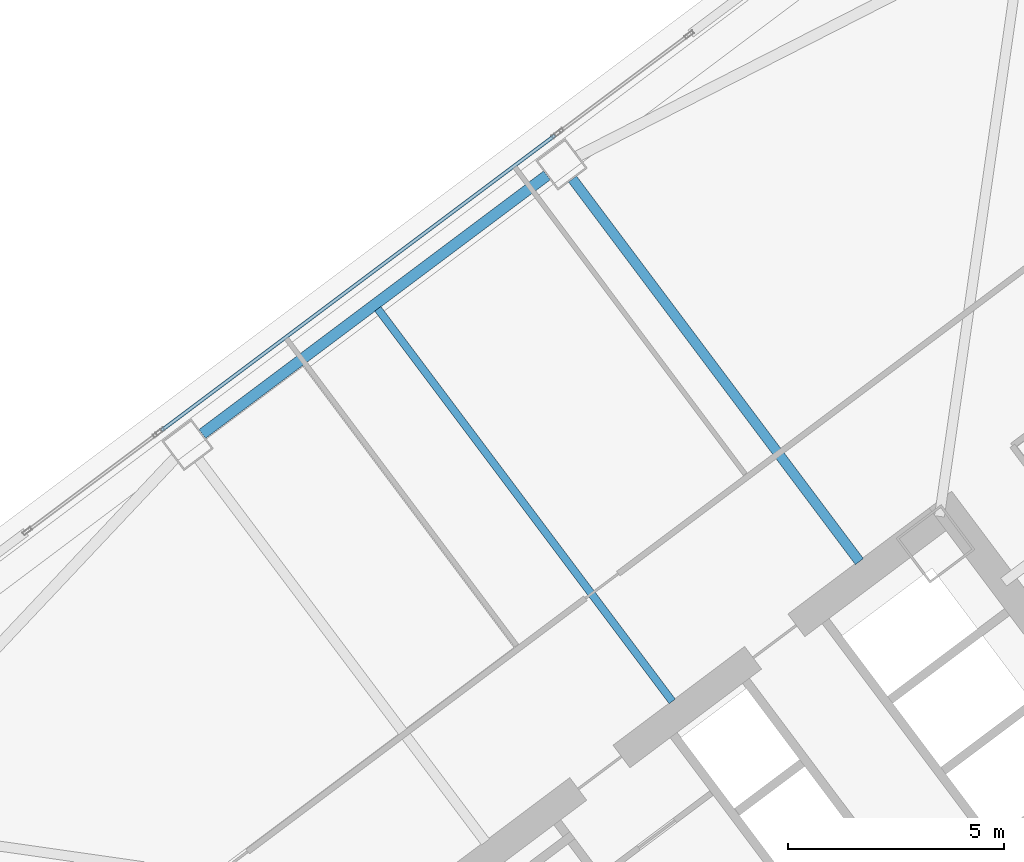
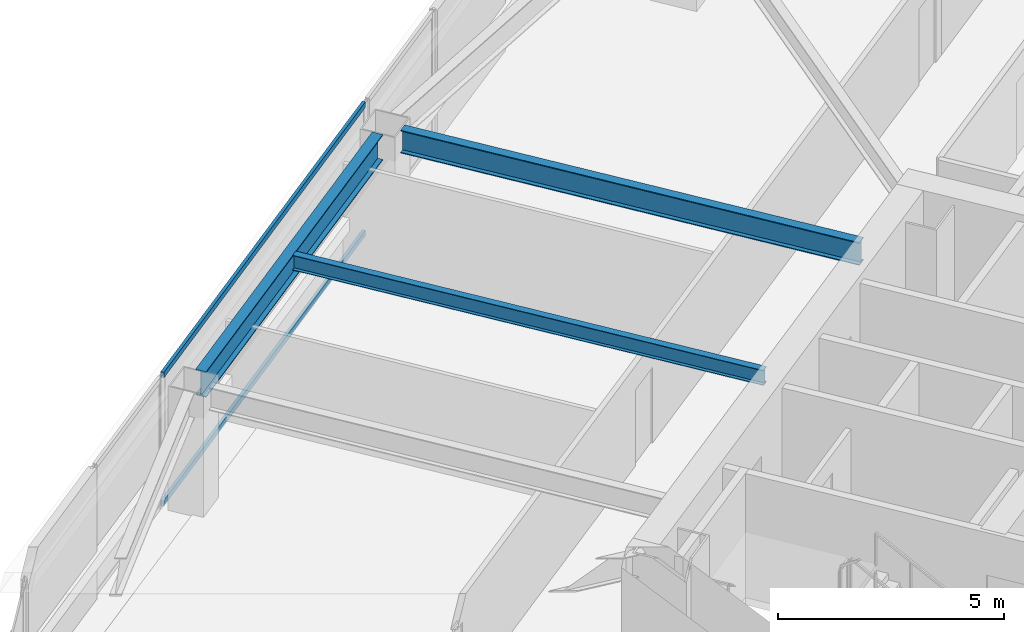
# One storey, part 31 of 48: 3 beams, 2 members, 1 element without a shape of its own.
"""IFC4 building model written with IfcOpenShell, lengths in metres."""

import ifcopenshell
import ifcopenshell.guid

model = None  # the IFC model being written
_history = None  # IfcOwnerHistory: only IFC2X3 demands one
_inside = {}  # id of a spatial element -> (the spatial element, [elements in it])
_under = {}  # id of a project, library or spatial element -> (it, [spatial elements below it])
_declared = {}  # id of a project -> (the project, [libraries it declares])
_typed = {}  # id of a type object -> (the type object, [elements of that type])
_made_of = {}  # id of a material, layer set ... -> (it, [elements and type objects made of it])


def new_model(schema):
    """Start an empty IFC model of exactly this schema.

    Asked for "IFC4X3", IfcOpenShell would pick the latest addendum, in which some entities
    have other attributes; the version numbers below select the first issue.
    IFC2X3 requires an IfcOwnerHistory on every rooted entity: one is made here for all.
    """
    global model, _history
    if schema == "IFC4X3":
        model = ifcopenshell.file(schema_version=(4, 3, 0, 0))
    else:
        model = ifcopenshell.file(schema=schema)
    _inside.clear()
    _under.clear()
    _declared.clear()
    _typed.clear()
    _made_of.clear()
    _history = None
    if model.schema == "IFC2X3":
        org = make("IfcOrganization", Name="unknown")
        user = make(
            "IfcPersonAndOrganization",
            ThePerson=make("IfcPerson", FamilyName="unknown"),
            TheOrganization=org,
        )
        app = make(
            "IfcApplication",
            ApplicationDeveloper=org,
            Version="unknown",
            ApplicationFullName="unknown",
            ApplicationIdentifier="unknown",
        )
        _history = make(
            "IfcOwnerHistory",
            OwningUser=user,
            OwningApplication=app,
            ChangeAction="ADDED",
            CreationDate=0,
        )
    return model


def make(cls, **values):
    """One entity of the class cls with the attributes given. An attribute that is None is left unset."""
    return model.create_entity(
        cls, **{name: value for name, value in values.items() if value is not None}
    )


def rooted(cls, **values):
    """An entity with a GlobalId (a new one), such as an element, a storey or a relation."""
    return make(cls, GlobalId=ifcopenshell.guid.new(), OwnerHistory=_history, **values)


def si_unit(unit_type, name, prefix=None):
    """IfcSIUnit, for example si_unit("LENGTHUNIT", "METRE", prefix="MILLI")."""
    return make("IfcSIUnit", UnitType=unit_type, Prefix=prefix, Name=name)


def assignment(units):
    """IfcUnitAssignment: the units of a project."""
    return None if units is None else make("IfcUnitAssignment", Units=units)


def point(xyz):
    """IfcCartesianPoint."""
    return None if xyz is None else make("IfcCartesianPoint", Coordinates=xyz)


def direction(xyz):
    """IfcDirection."""
    return None if xyz is None else make("IfcDirection", DirectionRatios=xyz)


def frame(location, z_axis=None, x_axis=None):
    """IfcAxis2Placement3D, a coordinate frame: its origin and axes. An axis left out is left unset."""
    return make(
        "IfcAxis2Placement3D",
        Location=point(location),
        Axis=direction(z_axis),
        RefDirection=direction(x_axis),
    )


def frame_2d(location, x_axis=None):
    """IfcAxis2Placement2D, a coordinate frame in the plane: its origin and x axis."""
    return make(
        "IfcAxis2Placement2D", Location=point(location), RefDirection=direction(x_axis)
    )


def origin():
    """The frame at (0, 0, 0) with its axes left unset."""
    return frame((0.0, 0.0, 0.0))


def origin_2d():
    """The frame at (0, 0) in the plane with its x axis left unset."""
    return frame_2d((0.0, 0.0))


def place(relative_to, where):
    """IfcLocalPlacement: puts the frame where relative to a parent placement (None: the world)."""
    return make(
        "IfcLocalPlacement", PlacementRelTo=relative_to, RelativePlacement=where
    )


def context(
    kind, dimensions, precision=None, world=None, true_north=None, identifier=None
):
    """IfcGeometricRepresentationContext, for example the 3D "Model" context."""
    return make(
        "IfcGeometricRepresentationContext",
        ContextIdentifier=identifier,
        ContextType=kind,
        CoordinateSpaceDimension=dimensions,
        Precision=precision,
        WorldCoordinateSystem=world,
        TrueNorth=true_north,
    )


def subcontext(parent, identifier, kind, view, scale=None):
    """IfcGeometricRepresentationSubContext, for example "Body" below "Model"."""
    return make(
        "IfcGeometricRepresentationSubContext",
        ContextIdentifier=identifier,
        ContextType=kind,
        ParentContext=parent,
        TargetScale=scale,
        TargetView=view,
    )


def project(units=None, contexts=None):
    """IfcProject with its units and contexts."""
    return rooted(
        "IfcProject",
        Name="project",
        RepresentationContexts=contexts,
        UnitsInContext=assignment(units),
    )


def spatial(cls, under=None, at=None, **own):
    """A site, building, storey or space (cls), placed at a placement, below another one or the project."""
    s = rooted(cls, ObjectPlacement=at, **own)
    if under is not None:
        _under.setdefault(under.id(), (under, []))[1].append(s)
    return s


def profile(cls, at=None, kind="AREA", **sizes):
    """A parametric profile (cls). Its sizes go by their IFC names, for example OverallWidth=200.0."""
    return make(cls, ProfileType=kind, Position=at, **sizes)


def hollow_rectangle(**sizes):
    """IfcRectangleHollowProfileDef."""
    return profile("IfcRectangleHollowProfileDef", **sizes)


def i_section(**sizes):
    """IfcIShapeProfileDef."""
    return profile("IfcIShapeProfileDef", **sizes)


def extrude(swept, where, along, depth):
    """IfcExtrudedAreaSolid: the profile swept, set in the frame where, extruded along a direction by depth."""
    return make(
        "IfcExtrudedAreaSolid",
        SweptArea=swept,
        Position=where,
        ExtrudedDirection=direction(along),
        Depth=depth,
    )


def shape(context_of_items, identifier, shape_type, items):
    """IfcShapeRepresentation: the items that make up one representation, for example the "Body"."""
    return make(
        "IfcShapeRepresentation",
        ContextOfItems=context_of_items,
        RepresentationIdentifier=identifier,
        RepresentationType=shape_type,
        Items=items,
    )


def material(Name=None, Category=None):
    """IfcMaterial."""
    return make("IfcMaterial", Name=Name, Category=Category)


def material_profile(
    of_material, cross_section, Name=None, Category=None, Priority=None
):
    """IfcMaterialProfile: a cross section and its material."""
    return make(
        "IfcMaterialProfile",
        Name=Name,
        Material=of_material,
        Profile=cross_section,
        Priority=Priority,
        Category=Category,
    )


def profile_set(profiles, Name=None, composite=None):
    """IfcMaterialProfileSet."""
    return make(
        "IfcMaterialProfileSet",
        Name=Name,
        MaterialProfiles=profiles,
        CompositeProfile=composite,
    )


def made_of(thing, what):
    """Note that an element or type object is made of a material, layer set ...; save() writes the relation."""
    if what is not None:
        _made_of.setdefault(what.id(), (what, []))[1].append(thing)
    return thing


def type_object(cls, material=None, **own):
    """A type object (cls), such as IfcWallType, which elements share."""
    return made_of(rooted(cls, **own), material)


def element(
    cls,
    number,
    at=None,
    inside=None,
    cuts=None,
    type_object=None,
    material=None,
    context=None,
    identifier="Body",
    shape_type=None,
    held_by="IfcProductDefinitionShape",
    body=None,
    shapes=None,
    **own,
):
    """One element of the class cls, such as IfcWall. Its Tag is "e" and its number.

    at: its placement. inside: the storey or other place that contains it. cuts: it is an
    opening in that element (IfcRelVoidsElement). A single representation is given by context,
    identifier, shape_type and body (its items); several are given by shapes. held_by: the class
    of the entity that holds the representations. save() writes the other relations.
    """
    e = rooted(cls, Tag="e%d" % number, ObjectPlacement=at, **own)
    if body is not None:
        shapes = [shape(context, identifier, shape_type, body)]
    if shapes is not None:
        e.Representation = make(held_by, Representations=shapes)
    if inside is not None:
        _inside.setdefault(inside.id(), (inside, []))[1].append(e)
    if cuts is not None:
        rooted(
            "IfcRelVoidsElement", RelatingBuildingElement=cuts, RelatedOpeningElement=e
        )
    if type_object is not None:
        _typed.setdefault(type_object.id(), (type_object, []))[1].append(e)
    return made_of(e, material)


def aggregate(whole, parts):
    """IfcRelAggregates: a whole, such as a stair, and the parts it consists of."""
    return rooted("IfcRelAggregates", RelatingObject=whole, RelatedObjects=parts)


def save(model, path):
    """Write the relations noted so far, then the file.

    IfcRelAggregates (storeys below a building ...), IfcRelContainedInSpatialStructure (elements
    in a storey), IfcRelDefinesByType, IfcRelAssociatesMaterial and IfcRelDeclares: one each for
    every whole, place, type object, material and project.
    """
    for whole, parts in _under.values():
        aggregate(whole, parts)
    for where, things in _inside.values():
        rooted(
            "IfcRelContainedInSpatialStructure",
            RelatedElements=things,
            RelatingStructure=where,
        )
    for kind, things in _typed.values():
        rooted("IfcRelDefinesByType", RelatedObjects=things, RelatingType=kind)
    for what, things in _made_of.values():
        rooted("IfcRelAssociatesMaterial", RelatedObjects=things, RelatingMaterial=what)
    for by, libraries in _declared.values():
        rooted("IfcRelDeclares", RelatingContext=by, RelatedDefinitions=libraries)
    model.write(path)


model = new_model("IFC4")

# Units and contexts
model_context = context("Model", 3, precision=1e-05, world=origin(), true_north=direction((0.0, 1.0)))
body_context = subcontext(model_context, "Body", "Model", "MODEL_VIEW")
ifc_project = project(units=[si_unit("LENGTHUNIT", "METRE"), si_unit("AREAUNIT", "SQUARE_METRE"), si_unit("VOLUMEUNIT", "CUBIC_METRE"), si_unit("PLANEANGLEUNIT", "RADIAN"), si_unit("MASSUNIT", "GRAM", prefix="KILO")], contexts=[model_context])

# Site, building, storey
site_placement = place(None, origin())
site = spatial("IfcSite", under=ifc_project, at=site_placement, CompositionType="ELEMENT")
building_placement = place(site_placement, origin())
building = spatial("IfcBuilding", under=site, at=building_placement, Name="Tashvorn Skyway Center", CompositionType="ELEMENT")
storey_placement = place(building_placement, frame((0.0, 0.0, 77.85009765625)))
storey = spatial("IfcBuildingStorey", under=building, at=storey_placement, Name="L20", CompositionType="ELEMENT", Elevation=77.85009765625)

# Beams
ifc_material_1 = material(Name="Steel ASTM A992 Grade 50", Category="steel")
ifc_material_profile_1 = material_profile(ifc_material_1, i_section(OverallWidth=0.22998046875, OverallDepth=0.616943359375, WebThickness=0.01318359375, FlangeThickness=0.022216796875, at=origin_2d()), Name="W24X94")
ifc_profile_set_1 = profile_set([ifc_material_profile_1], Name="Steel ASTM A992 Grade 50")
beam_type_1 = type_object("IfcBeamType", Name="BM-BEAM-W24X94", PredefinedType="BEAM", material=ifc_profile_set_1)
beam_1_placement = place(storey_placement, frame((107.02197265625, 50.303955078125, 3.04150390625), z_axis=(0.60001414024, -0.799989394625, 0.0), x_axis=(0.799989394625, 0.60001414024, 0.0)))
element("IfcBeam", 1, at=beam_1_placement, inside=storey, type_object=beam_type_1, Name="Tower 2 L20 Primary Floor Girder FC-N1", PredefinedType="BEAM", context=body_context, shape_type="SweptSolid", body=[
    extrude(i_section(OverallWidth=0.22998046875, OverallDepth=0.616943359375, WebThickness=0.01318359375, FlangeThickness=0.022216796875, at=origin_2d()), origin(), (0.0, 0.0, 1.0), 11.050048828125),
])
ifc_material_profile_2 = material_profile(ifc_material_1, i_section(OverallWidth=0.177978515625, OverallDepth=0.406005859375, WebThickness=0.0078125, FlangeThickness=0.0126953125, at=origin_2d()), Name="W16X40")
ifc_profile_set_2 = profile_set([ifc_material_profile_2], Name="Steel ASTM A992 Grade 50")
beam_type_2 = type_object("IfcBeamType", Name="BM-JOIST-W16X40", PredefinedType="JOIST", material=ifc_profile_set_2)
beam_2_placement = place(storey_placement, frame((109.325927734375, 38.23193359375, 3.14697265625), z_axis=(-0.599996555327, 0.800002583493, 0.0), x_axis=(-0.800002583493, -0.599996555327, 0.0)))
element("IfcBeam", 2, at=beam_2_placement, inside=storey, type_object=beam_type_2, Name="Tower 2 L20 Secondary Composite Joist JN", PredefinedType="JOIST", context=body_context, shape_type="SweptSolid", body=[
    extrude(i_section(OverallWidth=0.177978515625, OverallDepth=0.406005859375, WebThickness=0.0078125, FlangeThickness=0.0126953125, at=origin_2d()), origin(), (0.0, 0.0, 1.0), 11.340087890625),
])
ifc_material_profile_3 = material_profile(ifc_material_1, i_section(OverallWidth=0.256103515625, OverallDepth=0.693115234375, WebThickness=0.014404296875, FlangeThickness=0.023681640625, at=origin_2d()), Name="W27X114")
ifc_profile_set_3 = profile_set([ifc_material_profile_3], Name="Steel ASTM A992 Grade 50")
beam_type_3 = type_object("IfcBeamType", Name="BM-SPANDREL-W27X114", PredefinedType="SPANDREL", material=ifc_profile_set_3)
beam_3_placement = place(storey_placement, frame((106.43408203125, 50.387939453125, 3.00341796875), z_axis=(-0.800008824351, -0.599988234018, 0.0), x_axis=(0.599988234018, -0.800008824351, 0.0)))
element("IfcBeam", 3, at=beam_3_placement, inside=storey, type_object=beam_type_3, Name="Tower 2 L20 Spandrel Beam 08", PredefinedType="SPANDREL", context=body_context, shape_type="SweptSolid", body=[
    extrude(i_section(OverallWidth=0.256103515625, OverallDepth=0.693115234375, WebThickness=0.014404296875, FlangeThickness=0.023681640625, at=origin_2d()), origin(), (0.0, 0.0, 1.0), 9.9599609375),
])

# Curtain wall, members
ifc_material_2 = material(Name="Thermally broken bronze-anodized aluminium 6063-T6", Category="aluminium")
curtain_wall_type = type_object("IfcCurtainWallType", Name="CW-CW-Z2", PredefinedType="NOTDEFINED", material=ifc_material_2)
curtain_wall_placement = place(storey_placement, origin())
curtain_wall = element("IfcCurtainWall", 4, at=curtain_wall_placement, inside=storey, type_object=curtain_wall_type, Name="Tower 2 L20 North Unitised Curtain Wall Glazing Group 3", PredefinedType="NOTDEFINED")
ifc_material_profile_4 = material_profile(ifc_material_2, hollow_rectangle(XDim=0.080078125, YDim=0.14990234375, WallThickness=0.00439453125, at=origin_2d()), Name="ALU-TRAN-80x150")
ifc_profile_set_4 = profile_set([ifc_material_profile_4], Name="Thermally broken bronze-anodized aluminium 6063-T6")
member_type = type_object("IfcMemberType", Name="CWT-CW-Z2", PredefinedType="USERDEFINED", material=ifc_profile_set_4)
member_1_placement = place(storey_placement, frame((97.528076171875, 44.49609375, 0.039794921875), z_axis=(0.8, 0.6, 0.0), x_axis=(-0.6, 0.8, 0.0)))
member_1 = element("IfcMember", 5, at=member_1_placement, type_object=member_type, Name="CW-Z2 transom 1.1", ObjectType="TRANSOM", PredefinedType="USERDEFINED", context=body_context, shape_type="SweptSolid", body=[
    extrude(hollow_rectangle(XDim=0.080078125, YDim=0.14990234375, WallThickness=0.00439453125, at=origin_2d()), origin(), (0.0, 0.0, 1.0), 11.35986328125),
])
member_2_placement = place(storey_placement, frame((97.528076171875, 44.49609375, 3.510009765625), z_axis=(0.8, 0.6, 0.0), x_axis=(-0.6, 0.8, 0.0)))
member_2 = element("IfcMember", 6, at=member_2_placement, type_object=member_type, Name="CW-Z2 transom 1.2", ObjectType="TRANSOM", PredefinedType="USERDEFINED", context=body_context, shape_type="SweptSolid", body=[
    extrude(hollow_rectangle(XDim=0.080078125, YDim=0.14990234375, WallThickness=0.00439453125, at=origin_2d()), origin(), (0.0, 0.0, 1.0), 11.35986328125),
])
aggregate(curtain_wall, [member_1, member_2])

save(model, "model.ifc")
